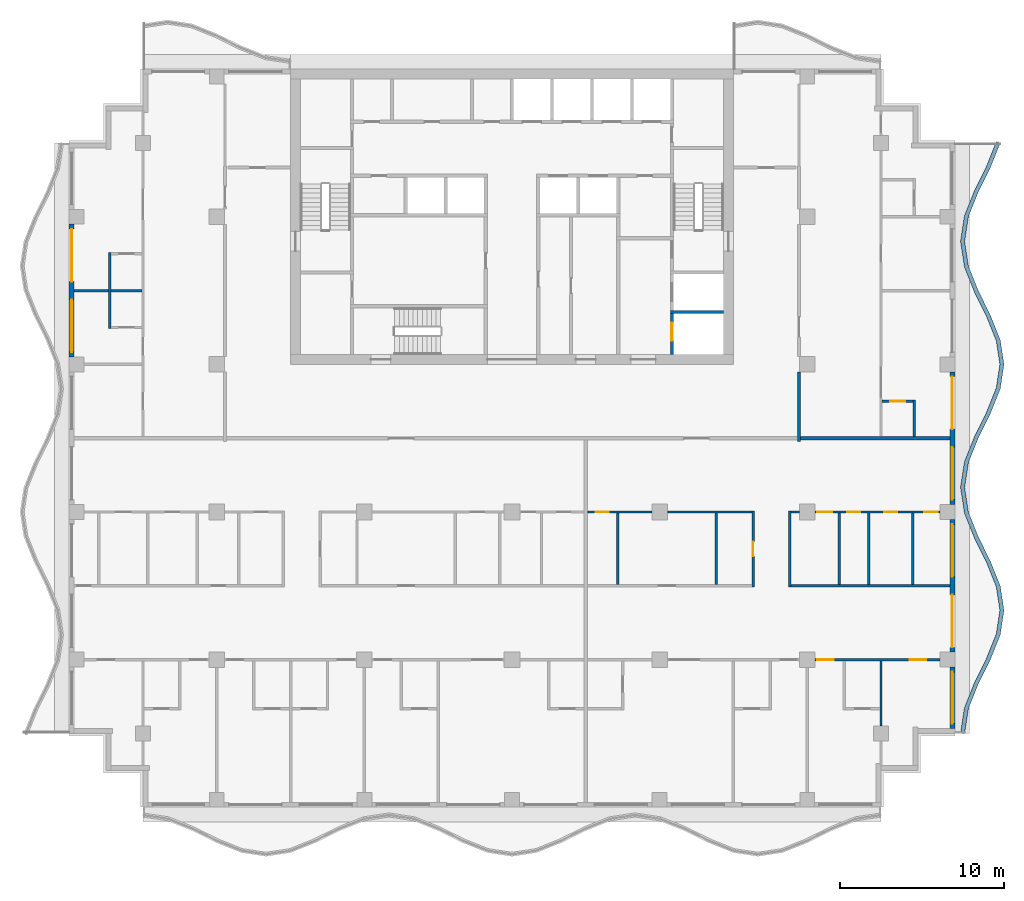
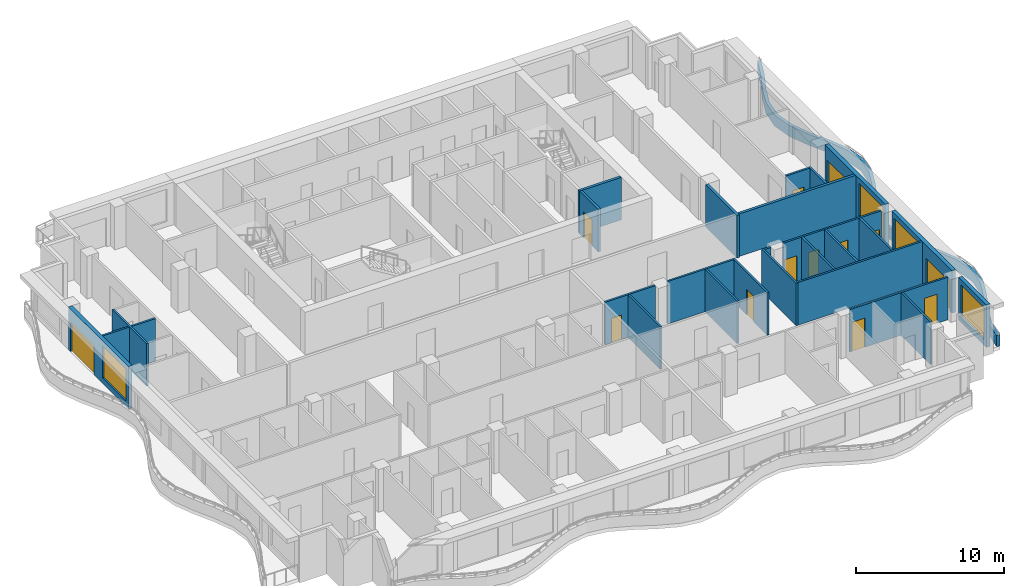
# One storey, part 4 of 12: 28 walls, 13 doors, 4 windows, 17 openings.
"""IFC4 building model written with IfcOpenShell, lengths in metres."""

from ifc_helpers import new_model, si_unit, direction, frame, frame_2d, origin, place, context, subcontext, project, spatial, polyline, rectangle, outline, extrude, material, layer, layer_set, type_object, element, fill, save


model = new_model("IFC4")

# Units and contexts
model_context = context("Model", 3, precision=1e-05, world=origin(), true_north=direction((0.0, 1.0)))
body_context = subcontext(model_context, "Body", "Model", "MODEL_VIEW")
ifc_project = project(units=[si_unit("LENGTHUNIT", "METRE"), si_unit("AREAUNIT", "SQUARE_METRE"), si_unit("VOLUMEUNIT", "CUBIC_METRE"), si_unit("PLANEANGLEUNIT", "RADIAN"), si_unit("MASSUNIT", "GRAM", prefix="KILO")], contexts=[model_context])

# Site, building, storey
site_placement = place(None, origin())
site = spatial("IfcSite", under=ifc_project, at=site_placement, CompositionType="ELEMENT")
building_placement = place(site_placement, origin())
building = spatial("IfcBuilding", under=site, at=building_placement, Name="Orbiselva Terraces", CompositionType="ELEMENT")
storey_placement = place(building_placement, frame((0.0, 0.0, 265.4)))
storey = spatial("IfcBuildingStorey", under=building, at=storey_placement, Name="L67", CompositionType="ELEMENT", Elevation=265.4)

# Wall, opening, door
ifc_material_1 = material(Name="Concrete C60/75", Category="concrete")
ifc_layer_1 = layer(ifc_material_1, 0.2)
ifc_layer_set_1 = layer_set([ifc_layer_1], Name="Concrete C60/75")
wall_type_1 = type_object("IfcWallType", Name="CORE-WALL-SHEAR-200", PredefinedType="SHEAR", material=ifc_layer_set_1)
wall_1_placement = place(storey_placement, frame((9.75, 5.1, 0.0), z_axis=(0.0, 0.0, 1.0), x_axis=(0.0, 1.0, 0.0)))
wall_1 = element("IfcWall", 1, at=wall_1_placement, inside=storey, type_object=wall_type_1, Name="L67 core wall 35", PredefinedType="SHEAR", context=body_context, shape_type="SweptSolid", body=[
    extrude(rectangle(XDim=2.5, YDim=0.2, at=frame_2d((1.25, 0.0))), origin(), (0.0, 0.0, 1.0), 3.5),
])
opening_1_placement = place(wall_1_placement, frame((0.85, 0.0, 0.0)))
opening_1 = element("IfcOpeningElement", 2, at=opening_1_placement, cuts=wall_1, Name="Opening LD-FF1", PredefinedType="OPENING", context=body_context, shape_type="SweptSolid", body=[
    extrude(rectangle(XDim=1.1, YDim=2.1, at=frame_2d((0.55, 1.05))), frame((0.0, 0.11, 0.0), z_axis=(0.0, -1.0, 0.0), x_axis=(1.0, 0.0, 0.0)), (0.0, 0.0, 1.0), 0.22),
])
ifc_material_2 = material(Name="Stainless steel landing door", Category="steel")
door_type_1 = type_object("IfcDoorType", Name="LANDING DOOR 1100", OperationType="SLIDING_TO_LEFT", PredefinedType="DOOR", material=ifc_material_2)
door_1_placement = place(opening_1_placement, origin())
door_1 = element("IfcDoor", 3, at=door_1_placement, inside=storey, type_object=door_type_1, Name="L67 landing door FF1", OperationType="SLIDING_TO_RIGHT", OverallHeight=2.1, OverallWidth=1.1, PredefinedType="DOOR", context=body_context, shape_type="SweptSolid", body=[
    extrude(rectangle(XDim=1.1, YDim=2.1, at=frame_2d((0.55, 1.05))), frame((0.0, 0.025, 0.0), z_axis=(0.0, -1.0, 0.0), x_axis=(1.0, 0.0, 0.0)), (0.0, 0.0, 1.0), 0.05),
])
fill(opening_1, door_1)

# Walls
wall_2_placement = place(storey_placement, frame((9.65, 7.7, 0.0), z_axis=(0.0, 0.0, 1.0), x_axis=(1.0, 0.0, 0.0)))
element("IfcWall", 4, at=wall_2_placement, inside=storey, type_object=wall_type_1, Name="L67 core wall 36", PredefinedType="SHEAR", context=body_context, shape_type="SweptSolid", body=[
    extrude(rectangle(XDim=3.25, YDim=0.2, at=frame_2d((1.625, 0.0))), origin(), (0.0, 0.0, 1.0), 3.5),
])
ifc_material_3 = material(Name="Concrete C40/50", Category="concrete")
ifc_layer_2 = layer(ifc_material_3, 0.25)
ifc_layer_set_2 = layer_set([ifc_layer_2], Name="Concrete C40/50")
wall_type_2 = type_object("IfcWallType", Name="ENV-PLANTER-250x900", PredefinedType="USERDEFINED", material=ifc_layer_set_2)
wall_3_placement = place(storey_placement, origin())
element("IfcWall", 5, at=wall_3_placement, inside=storey, type_object=wall_type_2, Name="Balcony planter L67 E", ObjectType="PLANTER", PredefinedType="USERDEFINED", context=body_context, shape_type="SweptSolid", body=[
    extrude(outline(polyline([(27.6, -18.0), (27.82918, -16.5), (28.42918, -15.0), (29.17082, -13.5), (29.77082, -12.0), (30.0, -10.5), (29.77082, -9.0), (29.17082, -7.5), (28.42918, -6.0), (27.82918, -4.5), (27.6, -3.0), (27.82918, -1.5), (28.42918, 0.0), (29.17082, 1.5), (29.77082, 3.0), (30.0, 4.5), (29.77082, 6.0), (29.17082, 7.5), (28.42918, 9.0), (27.82918, 10.5), (27.6, 12.0), (27.82918, 13.5), (28.42918, 15.0), (29.17082, 16.5), (29.77082, 18.0), (29.538701, 18.092848), (28.942355, 16.601983), (28.200715, 15.101983), (27.586388, 13.566166), (27.347099, 12.0), (27.586388, 10.433834), (28.200715, 8.898017), (28.942355, 7.398017), (29.528028, 5.933834), (29.747099, 4.5), (29.528028, 3.066166), (28.942355, 1.601983), (28.200715, 0.101983), (27.586388, -1.433834), (27.347099, -3.0), (27.586388, -4.566166), (28.200715, -6.101983), (28.942355, -7.601983), (29.528028, -9.066166), (29.747099, -10.5), (29.528028, -11.933834), (28.942355, -13.398017), (28.200715, -14.898017), (27.586388, -16.433834), (27.352868, -17.962242), (27.6, -18.0)])), origin(), (0.0, 0.0, 1.0), 0.9),
])

# Wall, opening, window
ifc_material_4 = material(Name="Terracotta cladding on masonry backing", Category="masonry")
ifc_layer_3 = layer(ifc_material_4, 0.3)
ifc_layer_set_3 = layer_set([ifc_layer_3], Name="Terracotta cladding on masonry backing")
wall_type_3 = type_object("IfcWallType", Name="ENV-WALL-TERRACOTTA-300", PredefinedType="SOLIDWALL", material=ifc_layer_set_3)
wall_4_placement = place(storey_placement, frame((26.85, -13.95, 0.0), z_axis=(0.0, 0.0, 1.0), x_axis=(0.0, -1.0, 0.0)))
wall_4 = element("IfcWall", 6, at=wall_4_placement, inside=storey, type_object=wall_type_3, Name="Facade wall L67 E", PredefinedType="SOLIDWALL", context=body_context, shape_type="SweptSolid", body=[
    extrude(rectangle(XDim=3.75, YDim=0.3, at=frame_2d((1.875, 0.0))), origin(), (0.0, 0.0, 1.0), 3.5),
])
opening_2_placement = place(wall_4_placement, frame((0.3, 0.0, 0.45)))
opening_2 = element("IfcOpeningElement", 7, at=opening_2_placement, cuts=wall_4, Name="Opening WN16", PredefinedType="OPENING", context=body_context, shape_type="SweptSolid", body=[
    extrude(rectangle(XDim=3.15, YDim=2.65, at=frame_2d((1.575, 1.325))), frame((0.0, 0.16, 0.0), z_axis=(0.0, -1.0, 0.0), x_axis=(1.0, 0.0, 0.0)), (0.0, 0.0, 1.0), 0.32),
])
ifc_material_5 = material(Name="Clear low-e glazing in aluminium frame", Category="aluminium")
window_type_1 = type_object("IfcWindowType", Name="WINDOW 3150 X 2650 S450", PartitioningType="TRIPLE_PANEL_VERTICAL", PredefinedType="WINDOW", material=ifc_material_5)
window_1_placement = place(opening_2_placement, origin())
window_1 = element("IfcWindow", 8, at=window_1_placement, inside=storey, type_object=window_type_1, Name="Window L67 E", OverallHeight=2.65, OverallWidth=3.15, PartitioningType="SINGLE_PANEL", PredefinedType="WINDOW", context=body_context, shape_type="SweptSolid", body=[
    extrude(rectangle(XDim=3.15, YDim=2.65, at=frame_2d((1.575, 1.325))), frame((0.0, 0.03, 0.0), z_axis=(0.0, -1.0, 0.0), x_axis=(1.0, 0.0, 0.0)), (0.0, 0.0, 1.0), 0.06),
])
fill(opening_2, window_1)

# Wall, openings, door, window
wall_5_placement = place(storey_placement, frame((26.85, -4.95, 0.0), z_axis=(0.0, 0.0, 1.0), x_axis=(0.0, -1.0, 0.0)))
wall_5 = element("IfcWall", 9, at=wall_5_placement, inside=storey, type_object=wall_type_3, Name="Facade wall L67 E", PredefinedType="SOLIDWALL", context=body_context, shape_type="SweptSolid", body=[
    extrude(rectangle(XDim=8.1, YDim=0.3, at=frame_2d((4.05, 0.0))), origin(), (0.0, 0.0, 1.0), 3.5),
])
opening_3_placement = place(wall_5_placement, frame((4.6, 0.0, 0.0)))
opening_3 = element("IfcOpeningElement", 10, at=opening_3_placement, cuts=wall_5, Name="Opening Z5-C-E05", PredefinedType="OPENING", context=body_context, shape_type="SweptSolid", body=[
    extrude(rectangle(XDim=3.2, YDim=2.4, at=frame_2d((1.6, 1.2))), frame((0.0, 0.16, 0.0), z_axis=(0.0, -1.0, 0.0), x_axis=(1.0, 0.0, 0.0)), (0.0, 0.0, 1.0), 0.32),
])
opening_4_placement = place(wall_5_placement, frame((0.3, 0.0, 0.45)))
opening_4 = element("IfcOpeningElement", 11, at=opening_4_placement, cuts=wall_5, Name="Opening WN17", PredefinedType="OPENING", context=body_context, shape_type="SweptSolid", body=[
    extrude(rectangle(XDim=3.2, YDim=2.65, at=frame_2d((1.6, 1.325))), frame((0.0, 0.16, 0.0), z_axis=(0.0, -1.0, 0.0), x_axis=(1.0, 0.0, 0.0)), (0.0, 0.0, 1.0), 0.32),
])
door_type_2 = type_object("IfcDoorType", Name="BALCONY DOOR 3200 X 2400", OperationType="DOUBLE_DOOR_SLIDING", PredefinedType="DOOR", material=ifc_material_5)
door_2_placement = place(opening_3_placement, origin())
door_2 = element("IfcDoor", 12, at=door_2_placement, inside=storey, type_object=door_type_2, Name="Z5-C-E05", OperationType="SINGLE_SWING_LEFT", OverallHeight=2.4, OverallWidth=3.2, PredefinedType="DOOR", context=body_context, shape_type="SweptSolid", body=[
    extrude(rectangle(XDim=3.2, YDim=2.4, at=frame_2d((1.6, 1.2))), frame((0.0, 0.025, 0.0), z_axis=(0.0, -1.0, 0.0), x_axis=(1.0, 0.0, 0.0)), (0.0, 0.0, 1.0), 0.05),
])
fill(opening_3, door_2)
window_type_2 = type_object("IfcWindowType", Name="WINDOW 3200 X 2650 S450", PartitioningType="TRIPLE_PANEL_VERTICAL", PredefinedType="WINDOW", material=ifc_material_5)
window_2_placement = place(opening_4_placement, origin())
window_2 = element("IfcWindow", 13, at=window_2_placement, inside=storey, type_object=window_type_2, Name="Window L67 E", OverallHeight=2.65, OverallWidth=3.2, PartitioningType="SINGLE_PANEL", PredefinedType="WINDOW", context=body_context, shape_type="SweptSolid", body=[
    extrude(rectangle(XDim=3.2, YDim=2.65, at=frame_2d((1.6, 1.325))), frame((0.0, 0.03, 0.0), z_axis=(0.0, -1.0, 0.0), x_axis=(1.0, 0.0, 0.0)), (0.0, 0.0, 1.0), 0.06),
])
fill(opening_4, window_2)

wall_6_placement = place(storey_placement, frame((26.85, 4.05, 0.0), z_axis=(0.0, 0.0, 1.0), x_axis=(0.0, -1.0, 0.0)))
wall_6 = element("IfcWall", 14, at=wall_6_placement, inside=storey, type_object=wall_type_3, Name="Facade wall L67 E", PredefinedType="SOLIDWALL", context=body_context, shape_type="SweptSolid", body=[
    extrude(rectangle(XDim=8.1, YDim=0.3, at=frame_2d((4.05, 0.0))), origin(), (0.0, 0.0, 1.0), 3.5),
])
opening_5_placement = place(wall_6_placement, frame((4.6, 0.0, 0.45)))
opening_5 = element("IfcOpeningElement", 15, at=opening_5_placement, cuts=wall_6, Name="Opening WN17", PredefinedType="OPENING", context=body_context, shape_type="SweptSolid", body=[
    extrude(rectangle(XDim=3.2, YDim=2.65, at=frame_2d((1.6, 1.325))), frame((0.0, 0.16, 0.0), z_axis=(0.0, -1.0, 0.0), x_axis=(1.0, 0.0, 0.0)), (0.0, 0.0, 1.0), 0.32),
])
opening_6_placement = place(wall_6_placement, frame((0.3, 0.0, 0.0)))
opening_6 = element("IfcOpeningElement", 16, at=opening_6_placement, cuts=wall_6, Name="Opening Z5-C-E14", PredefinedType="OPENING", context=body_context, shape_type="SweptSolid", body=[
    extrude(rectangle(XDim=3.2, YDim=2.4, at=frame_2d((1.6, 1.2))), frame((0.0, 0.16, 0.0), z_axis=(0.0, -1.0, 0.0), x_axis=(1.0, 0.0, 0.0)), (0.0, 0.0, 1.0), 0.32),
])
door_3_placement = place(opening_6_placement, origin())
door_3 = element("IfcDoor", 17, at=door_3_placement, inside=storey, type_object=door_type_2, Name="Z5-C-E14", OperationType="SINGLE_SWING_LEFT", OverallHeight=2.4, OverallWidth=3.2, PredefinedType="DOOR", context=body_context, shape_type="SweptSolid", body=[
    extrude(rectangle(XDim=3.2, YDim=2.4, at=frame_2d((1.6, 1.2))), frame((0.0, 0.025, 0.0), z_axis=(0.0, -1.0, 0.0), x_axis=(1.0, 0.0, 0.0)), (0.0, 0.0, 1.0), 0.05),
])
fill(opening_6, door_3)
window_3_placement = place(opening_5_placement, origin())
window_3 = element("IfcWindow", 18, at=window_3_placement, inside=storey, type_object=window_type_2, Name="Window L67 E", OverallHeight=2.65, OverallWidth=3.2, PartitioningType="SINGLE_PANEL", PredefinedType="WINDOW", context=body_context, shape_type="SweptSolid", body=[
    extrude(rectangle(XDim=3.2, YDim=2.65, at=frame_2d((1.6, 1.325))), frame((0.0, 0.03, 0.0), z_axis=(0.0, -1.0, 0.0), x_axis=(1.0, 0.0, 0.0)), (0.0, 0.0, 1.0), 0.06),
])
fill(opening_5, window_3)

wall_7_placement = place(storey_placement, frame((-26.85, 4.95, 0.0), z_axis=(0.0, 0.0, 1.0), x_axis=(0.0, 1.0, 0.0)))
wall_7 = element("IfcWall", 19, at=wall_7_placement, inside=storey, type_object=wall_type_3, Name="Facade wall L67 W", PredefinedType="SOLIDWALL", context=body_context, shape_type="SweptSolid", body=[
    extrude(rectangle(XDim=8.1, YDim=0.3, at=frame_2d((4.05, 0.0))), origin(), (0.0, 0.0, 1.0), 3.5),
])
opening_7_placement = place(wall_7_placement, frame((4.6, 0.0, 0.0)))
opening_7 = element("IfcOpeningElement", 20, at=opening_7_placement, cuts=wall_7, Name="Opening Z5-C-E10", PredefinedType="OPENING", context=body_context, shape_type="SweptSolid", body=[
    extrude(rectangle(XDim=3.2, YDim=2.4, at=frame_2d((1.6, 1.2))), frame((0.0, 0.16, 0.0), z_axis=(0.0, -1.0, 0.0), x_axis=(1.0, 0.0, 0.0)), (0.0, 0.0, 1.0), 0.32),
])
opening_8_placement = place(wall_7_placement, frame((0.3, 0.0, 0.45)))
opening_8 = element("IfcOpeningElement", 21, at=opening_8_placement, cuts=wall_7, Name="Opening WN17", PredefinedType="OPENING", context=body_context, shape_type="SweptSolid", body=[
    extrude(rectangle(XDim=3.2, YDim=2.65, at=frame_2d((1.6, 1.325))), frame((0.0, 0.16, 0.0), z_axis=(0.0, -1.0, 0.0), x_axis=(1.0, 0.0, 0.0)), (0.0, 0.0, 1.0), 0.32),
])
door_4_placement = place(opening_7_placement, origin())
door_4 = element("IfcDoor", 22, at=door_4_placement, inside=storey, type_object=door_type_2, Name="Z5-C-E10", OperationType="SINGLE_SWING_LEFT", OverallHeight=2.4, OverallWidth=3.2, PredefinedType="DOOR", context=body_context, shape_type="SweptSolid", body=[
    extrude(rectangle(XDim=3.2, YDim=2.4, at=frame_2d((1.6, 1.2))), frame((0.0, 0.025, 0.0), z_axis=(0.0, -1.0, 0.0), x_axis=(1.0, 0.0, 0.0)), (0.0, 0.0, 1.0), 0.05),
])
fill(opening_7, door_4)
window_4_placement = place(opening_8_placement, origin())
window_4 = element("IfcWindow", 23, at=window_4_placement, inside=storey, type_object=window_type_2, Name="Window L67 W", OverallHeight=2.65, OverallWidth=3.2, PartitioningType="SINGLE_PANEL", PredefinedType="WINDOW", context=body_context, shape_type="SweptSolid", body=[
    extrude(rectangle(XDim=3.2, YDim=2.65, at=frame_2d((1.6, 1.325))), frame((0.0, 0.03, 0.0), z_axis=(0.0, -1.0, 0.0), x_axis=(1.0, 0.0, 0.0)), (0.0, 0.0, 1.0), 0.06),
])
fill(opening_8, window_4)

# Wall
ifc_material_6 = material(Name="Plasterboard on steel stud partition", Category="steel")
ifc_layer_4 = layer(ifc_material_6, 0.2)
ifc_layer_set_4 = layer_set([ifc_layer_4], Name="Plasterboard on steel stud partition")
wall_type_4 = type_object("IfcWallType", Name="UNIT-ENTRANCE-WALL-200", PredefinedType="PARTITIONING", material=ifc_layer_set_4)
wall_8_placement = place(storey_placement, frame((17.5, -0.2, 0.0), z_axis=(0.0, 0.0, 1.0), x_axis=(0.0, 1.0, 0.0)))
element("IfcWall", 24, at=wall_8_placement, inside=storey, type_object=wall_type_4, Name="PARTITION L67-079", PredefinedType="PARTITIONING", context=body_context, shape_type="SweptSolid", body=[
    extrude(rectangle(XDim=4.225, YDim=0.2, at=frame_2d((2.1125, 0.0))), origin(), (0.0, 0.0, 1.0), 3.5),
])

# Wall, openings, doors
ifc_layer_5 = layer(ifc_material_6, 0.15)
ifc_layer_set_5 = layer_set([ifc_layer_5], Name="Plasterboard on steel stud partition")
wall_type_5 = type_object("IfcWallType", Name="UNIT-PARTITION-150", PredefinedType="PARTITIONING", material=ifc_layer_set_5)
wall_9_placement = place(storey_placement, frame((26.1, -13.5, 0.0), z_axis=(0.0, 0.0, 1.0), x_axis=(-1.0, 0.0, 0.0)))
wall_9 = element("IfcWall", 25, at=wall_9_placement, inside=storey, type_object=wall_type_5, Name="PARTITION L67-015", PredefinedType="PARTITIONING", context=body_context, shape_type="SweptSolid", body=[
    extrude(rectangle(XDim=7.625, YDim=0.15, at=frame_2d((3.8125, 0.0))), origin(), (0.0, 0.0, 1.0), 3.5),
])
opening_9_placement = place(wall_9_placement, frame((6.475, 0.0, 0.0)))
opening_9 = element("IfcOpeningElement", 26, at=opening_9_placement, cuts=wall_9, Name="Opening Z5-C-49", PredefinedType="OPENING", context=body_context, shape_type="SweptSolid", body=[
    extrude(rectangle(XDim=1.0, YDim=2.4, at=frame_2d((0.5, 1.2))), frame((0.0, 0.085, 0.0), z_axis=(0.0, -1.0, 0.0), x_axis=(1.0, 0.0, 0.0)), (0.0, 0.0, 1.0), 0.17),
])
opening_10_placement = place(wall_9_placement, frame((0.85, 0.0, 0.0)))
opening_10 = element("IfcOpeningElement", 27, at=opening_10_placement, cuts=wall_9, Name="Opening Z5-C-51", PredefinedType="OPENING", context=body_context, shape_type="SweptSolid", body=[
    extrude(rectangle(XDim=1.0, YDim=2.4, at=frame_2d((0.5, 1.2))), frame((0.0, 0.085, 0.0), z_axis=(0.0, -1.0, 0.0), x_axis=(1.0, 0.0, 0.0)), (0.0, 0.0, 1.0), 0.17),
])
ifc_material_7 = material(Name="Painted timber door leaf", Category="wood")
door_type_3 = type_object("IfcDoorType", Name="ROOM DOOR 1000", OperationType="NOTDEFINED", PredefinedType="DOOR", material=ifc_material_7)
door_5_placement = place(opening_9_placement, origin())
door_5 = element("IfcDoor", 28, at=door_5_placement, inside=storey, type_object=door_type_3, Name="Z5-C-49", OperationType="SINGLE_SWING_RIGHT", OverallHeight=2.4, OverallWidth=1.0, PredefinedType="DOOR", context=body_context, shape_type="SweptSolid", body=[
    extrude(rectangle(XDim=1.0, YDim=2.4, at=frame_2d((0.5, 1.2))), frame((0.0, 0.025, 0.0), z_axis=(0.0, -1.0, 0.0), x_axis=(1.0, 0.0, 0.0)), (0.0, 0.0, 1.0), 0.05),
])
fill(opening_9, door_5)
door_6_placement = place(opening_10_placement, origin())
door_6 = element("IfcDoor", 29, at=door_6_placement, inside=storey, type_object=door_type_3, Name="Z5-C-51", OperationType="SINGLE_SWING_LEFT", OverallHeight=2.4, OverallWidth=1.0, PredefinedType="DOOR", context=body_context, shape_type="SweptSolid", body=[
    extrude(rectangle(XDim=1.0, YDim=2.4, at=frame_2d((0.5, 1.2))), frame((0.0, 0.025, 0.0), z_axis=(0.0, -1.0, 0.0), x_axis=(1.0, 0.0, 0.0)), (0.0, 0.0, 1.0), 0.05),
])
fill(opening_10, door_6)

# Wall
wall_10_placement = place(storey_placement, frame((17.025, -9.0, 0.0), z_axis=(0.0, 0.0, 1.0), x_axis=(1.0, 0.0, 0.0)))
element("IfcWall", 30, at=wall_10_placement, inside=storey, type_object=wall_type_5, Name="PARTITION L67-019", PredefinedType="PARTITIONING", context=body_context, shape_type="SweptSolid", body=[
    extrude(rectangle(XDim=9.675, YDim=0.15, at=frame_2d((4.8375, 0.0))), origin(), (0.0, 0.0, 1.0), 3.5),
])

# Wall, opening, door
wall_11_placement = place(storey_placement, frame((8.525, -4.5, 0.0), z_axis=(0.0, 0.0, 1.0), x_axis=(-1.0, 0.0, 0.0)))
wall_11 = element("IfcWall", 31, at=wall_11_placement, inside=storey, type_object=wall_type_5, Name="PARTITION L67-025", PredefinedType="PARTITIONING", context=body_context, shape_type="SweptSolid", body=[
    extrude(rectangle(XDim=3.925, YDim=0.15, at=frame_2d((1.9625, 0.0))), origin(), (0.0, 0.0, 1.0), 3.5),
])
opening_11_placement = place(wall_11_placement, frame((2.625, 0.0, 0.0)))
opening_11 = element("IfcOpeningElement", 32, at=opening_11_placement, cuts=wall_11, Name="Opening Z5-C-38", PredefinedType="OPENING", context=body_context, shape_type="SweptSolid", body=[
    extrude(rectangle(XDim=0.8, YDim=2.0, at=frame_2d((0.4, 1.0))), frame((0.0, 0.085, 0.0), z_axis=(0.0, -1.0, 0.0), x_axis=(1.0, 0.0, 0.0)), (0.0, 0.0, 1.0), 0.17),
])
door_type_4 = type_object("IfcDoorType", Name="STORE DOOR 800", OperationType="NOTDEFINED", PredefinedType="DOOR", material=ifc_material_7)
door_7_placement = place(opening_11_placement, origin())
door_7 = element("IfcDoor", 33, at=door_7_placement, inside=storey, type_object=door_type_4, Name="Z5-C-38", OperationType="SINGLE_SWING_RIGHT", OverallHeight=2.0, OverallWidth=0.8, PredefinedType="DOOR", context=body_context, shape_type="SweptSolid", body=[
    extrude(rectangle(XDim=0.8, YDim=2.0, at=frame_2d((0.4, 1.0))), frame((0.0, 0.025, 0.0), z_axis=(0.0, -1.0, 0.0), x_axis=(1.0, 0.0, 0.0)), (0.0, 0.0, 1.0), 0.05),
])
fill(opening_11, door_7)

# Walls
wall_12_placement = place(storey_placement, frame((9.475, -4.5, 0.0), z_axis=(0.0, 0.0, 1.0), x_axis=(1.0, 0.0, 0.0)))
element("IfcWall", 34, at=wall_12_placement, inside=storey, type_object=wall_type_5, Name="PARTITION L67-026", PredefinedType="PARTITIONING", context=body_context, shape_type="SweptSolid", body=[
    extrude(rectangle(XDim=5.15, YDim=0.15, at=frame_2d((2.575, 0.0))), origin(), (0.0, 0.0, 1.0), 3.5),
])
wall_13_placement = place(storey_placement, frame((17.025, -4.5, 0.0), z_axis=(0.0, 0.0, 1.0), x_axis=(1.0, 0.0, 0.0)))
element("IfcWall", 35, at=wall_13_placement, inside=storey, type_object=wall_type_5, Name="PARTITION L67-027", PredefinedType="PARTITIONING", context=body_context, shape_type="SweptSolid", body=[
    extrude(rectangle(XDim=0.5, YDim=0.15, at=frame_2d((0.25, 0.0))), origin(), (0.0, 0.0, 1.0), 3.5),
])

# Wall, openings, doors
wall_14_placement = place(storey_placement, frame((26.1, -4.5, 0.0), z_axis=(0.0, 0.0, 1.0), x_axis=(-1.0, 0.0, 0.0)))
wall_14 = element("IfcWall", 36, at=wall_14_placement, inside=storey, type_object=wall_type_5, Name="PARTITION L67-028", PredefinedType="PARTITIONING", context=body_context, shape_type="SweptSolid", body=[
    extrude(rectangle(XDim=7.625, YDim=0.15, at=frame_2d((3.8125, 0.0))), origin(), (0.0, 0.0, 1.0), 3.5),
])
opening_12_placement = place(wall_14_placement, frame((6.575, 0.0, 0.0)))
opening_12 = element("IfcOpeningElement", 37, at=opening_12_placement, cuts=wall_14, Name="Opening Z5-C-41", PredefinedType="OPENING", context=body_context, shape_type="SweptSolid", body=[
    extrude(rectangle(XDim=0.9, YDim=2.1, at=frame_2d((0.45, 1.05))), frame((0.0, 0.085, 0.0), z_axis=(0.0, -1.0, 0.0), x_axis=(1.0, 0.0, 0.0)), (0.0, 0.0, 1.0), 0.17),
])
opening_13_placement = place(wall_14_placement, frame((4.85, 0.0, 0.0)))
opening_13 = element("IfcOpeningElement", 38, at=opening_13_placement, cuts=wall_14, Name="Opening Z5-C-42", PredefinedType="OPENING", context=body_context, shape_type="SweptSolid", body=[
    extrude(rectangle(XDim=0.8, YDim=2.0, at=frame_2d((0.4, 1.0))), frame((0.0, 0.085, 0.0), z_axis=(0.0, -1.0, 0.0), x_axis=(1.0, 0.0, 0.0)), (0.0, 0.0, 1.0), 0.17),
])
opening_14_placement = place(wall_14_placement, frame((2.6, 0.0, 0.0)))
opening_14 = element("IfcOpeningElement", 39, at=opening_14_placement, cuts=wall_14, Name="Opening Z5-C-43", PredefinedType="OPENING", context=body_context, shape_type="SweptSolid", body=[
    extrude(rectangle(XDim=0.8, YDim=2.0, at=frame_2d((0.4, 1.0))), frame((0.0, 0.085, 0.0), z_axis=(0.0, -1.0, 0.0), x_axis=(1.0, 0.0, 0.0)), (0.0, 0.0, 1.0), 0.17),
])
opening_15_placement = place(wall_14_placement, frame((0.15, 0.0, 0.0)))
opening_15 = element("IfcOpeningElement", 40, at=opening_15_placement, cuts=wall_14, Name="Opening Z5-C-44", PredefinedType="OPENING", context=body_context, shape_type="SweptSolid", body=[
    extrude(rectangle(XDim=0.8, YDim=2.0, at=frame_2d((0.4, 1.0))), frame((0.0, 0.085, 0.0), z_axis=(0.0, -1.0, 0.0), x_axis=(1.0, 0.0, 0.0)), (0.0, 0.0, 1.0), 0.17),
])
door_type_5 = type_object("IfcDoorType", Name="SERVICE DOOR 900", OperationType="NOTDEFINED", PredefinedType="DOOR", material=ifc_material_7)
door_8_placement = place(opening_12_placement, origin())
door_8 = element("IfcDoor", 41, at=door_8_placement, inside=storey, type_object=door_type_5, Name="Z5-C-41", OperationType="SINGLE_SWING_RIGHT", OverallHeight=2.1, OverallWidth=0.9, PredefinedType="DOOR", context=body_context, shape_type="SweptSolid", body=[
    extrude(rectangle(XDim=0.9, YDim=2.1, at=frame_2d((0.45, 1.05))), frame((0.0, 0.025, 0.0), z_axis=(0.0, -1.0, 0.0), x_axis=(1.0, 0.0, 0.0)), (0.0, 0.0, 1.0), 0.05),
])
fill(opening_12, door_8)
door_9_placement = place(opening_13_placement, origin())
door_9 = element("IfcDoor", 42, at=door_9_placement, inside=storey, type_object=door_type_4, Name="Z5-C-42", OperationType="SINGLE_SWING_RIGHT", OverallHeight=2.0, OverallWidth=0.8, PredefinedType="DOOR", context=body_context, shape_type="SweptSolid", body=[
    extrude(rectangle(XDim=0.8, YDim=2.0, at=frame_2d((0.4, 1.0))), frame((0.0, 0.025, 0.0), z_axis=(0.0, -1.0, 0.0), x_axis=(1.0, 0.0, 0.0)), (0.0, 0.0, 1.0), 0.05),
])
fill(opening_13, door_9)
door_10_placement = place(opening_14_placement, origin())
door_10 = element("IfcDoor", 43, at=door_10_placement, inside=storey, type_object=door_type_4, Name="Z5-C-43", OperationType="SINGLE_SWING_LEFT", OverallHeight=2.0, OverallWidth=0.8, PredefinedType="DOOR", context=body_context, shape_type="SweptSolid", body=[
    extrude(rectangle(XDim=0.8, YDim=2.0, at=frame_2d((0.4, 1.0))), frame((0.0, 0.025, 0.0), z_axis=(0.0, -1.0, 0.0), x_axis=(1.0, 0.0, 0.0)), (0.0, 0.0, 1.0), 0.05),
])
fill(opening_14, door_10)
door_11_placement = place(opening_15_placement, origin())
door_11 = element("IfcDoor", 44, at=door_11_placement, inside=storey, type_object=door_type_4, Name="Z5-C-44", OperationType="SINGLE_SWING_LEFT", OverallHeight=2.0, OverallWidth=0.8, PredefinedType="DOOR", context=body_context, shape_type="SweptSolid", body=[
    extrude(rectangle(XDim=0.8, YDim=2.0, at=frame_2d((0.4, 1.0))), frame((0.0, 0.025, 0.0), z_axis=(0.0, -1.0, 0.0), x_axis=(1.0, 0.0, 0.0)), (0.0, 0.0, 1.0), 0.05),
])
fill(opening_15, door_11)

# Wall, opening, door
wall_15_placement = place(storey_placement, frame((24.45, 2.25, 0.0), z_axis=(0.0, 0.0, 1.0), x_axis=(-1.0, 0.0, 0.0)))
wall_15 = element("IfcWall", 45, at=wall_15_placement, inside=storey, type_object=wall_type_5, Name="PARTITION L67-032", PredefinedType="PARTITIONING", context=body_context, shape_type="SweptSolid", body=[
    extrude(rectangle(XDim=1.875, YDim=0.15, at=frame_2d((0.9375, 0.0))), origin(), (0.0, 0.0, 1.0), 3.5),
])
opening_16_placement = place(wall_15_placement, frame((0.475, 0.0, 0.0)))
opening_16 = element("IfcOpeningElement", 46, at=opening_16_placement, cuts=wall_15, Name="Opening Z5-C-11", PredefinedType="OPENING", context=body_context, shape_type="SweptSolid", body=[
    extrude(rectangle(XDim=0.9, YDim=2.1, at=frame_2d((0.45, 1.05))), frame((0.0, 0.085, 0.0), z_axis=(0.0, -1.0, 0.0), x_axis=(1.0, 0.0, 0.0)), (0.0, 0.0, 1.0), 0.17),
])
door_type_6 = type_object("IfcDoorType", Name="BATH DOOR 900", OperationType="NOTDEFINED", PredefinedType="DOOR", material=ifc_material_7)
door_12_placement = place(opening_16_placement, origin())
door_12 = element("IfcDoor", 47, at=door_12_placement, inside=storey, type_object=door_type_6, Name="Z5-C-11", OperationType="SINGLE_SWING_LEFT", OverallHeight=2.1, OverallWidth=0.9, PredefinedType="DOOR", context=body_context, shape_type="SweptSolid", body=[
    extrude(rectangle(XDim=0.9, YDim=2.1, at=frame_2d((0.45, 1.05))), frame((0.0, 0.025, 0.0), z_axis=(0.0, -1.0, 0.0), x_axis=(1.0, 0.0, 0.0)), (0.0, 0.0, 1.0), 0.05),
])
fill(opening_16, door_12)

# Walls
wall_16_placement = place(storey_placement, frame((-26.7, 9.0, 0.0), z_axis=(0.0, 0.0, 1.0), x_axis=(1.0, 0.0, 0.0)))
element("IfcWall", 48, at=wall_16_placement, inside=storey, type_object=wall_type_5, Name="PARTITION L67-035", PredefinedType="PARTITIONING", context=body_context, shape_type="SweptSolid", body=[
    extrude(rectangle(XDim=2.1, YDim=0.15, at=frame_2d((1.05, 0.0))), origin(), (0.0, 0.0, 1.0), 3.5),
])
wall_17_placement = place(storey_placement, frame((-24.45, 9.0, 0.0), z_axis=(0.0, 0.0, 1.0), x_axis=(1.0, 0.0, 0.0)))
element("IfcWall", 49, at=wall_17_placement, inside=storey, type_object=wall_type_5, Name="PARTITION L67-036", PredefinedType="PARTITIONING", context=body_context, shape_type="SweptSolid", body=[
    extrude(rectangle(XDim=1.875, YDim=0.15, at=frame_2d((0.9375, 0.0))), origin(), (0.0, 0.0, 1.0), 3.5),
])
wall_18_placement = place(storey_placement, frame((-24.525, 6.675, 0.0), z_axis=(0.0, 0.0, 1.0), x_axis=(0.0, 1.0, 0.0)))
element("IfcWall", 50, at=wall_18_placement, inside=storey, type_object=wall_type_5, Name="PARTITION L67-044", PredefinedType="PARTITIONING", context=body_context, shape_type="SweptSolid", body=[
    extrude(rectangle(XDim=4.65, YDim=0.15, at=frame_2d((2.325, 0.0))), origin(), (0.0, 0.0, 1.0), 3.5),
])
for number, where, z_axis, x_axis, name in (
    (51, (6.45, -8.925, 0.0), (0.0, 0.0, 1.0), (0.0, 1.0, 0.0), "PARTITION L67-072"),
    (52, (12.45, -8.925, 0.0), (0.0, 0.0, 1.0), (0.0, 1.0, 0.0), "PARTITION L67-074"),
):
    element("IfcWall", number, at=place(storey_placement, frame(where, z_axis=z_axis, x_axis=x_axis)), inside=storey, type_object=wall_type_5, Name=name, PredefinedType="PARTITIONING", context=body_context, shape_type="SweptSolid", body=[
        extrude(rectangle(XDim=4.35, YDim=0.15, at=frame_2d((2.175, 0.0))), origin(), (0.0, 0.0, 1.0), 3.5),
    ])

# Wall, opening, door
wall_19_placement = place(storey_placement, frame((14.7, -9.075, 0.0), z_axis=(0.0, 0.0, 1.0), x_axis=(0.0, 1.0, 0.0)))
wall_19 = element("IfcWall", 53, at=wall_19_placement, inside=storey, type_object=wall_type_5, Name="PARTITION L67-076", PredefinedType="PARTITIONING", context=body_context, shape_type="SweptSolid", body=[
    extrude(rectangle(XDim=4.65, YDim=0.15, at=frame_2d((2.325, 0.0))), origin(), (0.0, 0.0, 1.0), 3.5),
])
opening_17_placement = place(wall_19_placement, frame((1.875, 0.0, 0.0)))
opening_17 = element("IfcOpeningElement", 54, at=opening_17_placement, cuts=wall_19, Name="Opening Z5-C-40", PredefinedType="OPENING", context=body_context, shape_type="SweptSolid", body=[
    extrude(rectangle(XDim=0.9, YDim=2.1, at=frame_2d((0.45, 1.05))), frame((0.0, 0.085, 0.0), z_axis=(0.0, -1.0, 0.0), x_axis=(1.0, 0.0, 0.0)), (0.0, 0.0, 1.0), 0.17),
])
door_13_placement = place(opening_17_placement, origin())
door_13 = element("IfcDoor", 55, at=door_13_placement, inside=storey, type_object=door_type_6, Name="Z5-C-40", OperationType="SINGLE_SWING_LEFT", OverallHeight=2.1, OverallWidth=0.9, PredefinedType="DOOR", context=body_context, shape_type="SweptSolid", body=[
    extrude(rectangle(XDim=0.9, YDim=2.1, at=frame_2d((0.45, 1.05))), frame((0.0, 0.025, 0.0), z_axis=(0.0, -1.0, 0.0), x_axis=(1.0, 0.0, 0.0)), (0.0, 0.0, 1.0), 0.05),
])
fill(opening_17, door_13)

# Walls
wall_20_placement = place(storey_placement, frame((16.95, -9.075, 0.0), z_axis=(0.0, 0.0, 1.0), x_axis=(0.0, 1.0, 0.0)))
element("IfcWall", 56, at=wall_20_placement, inside=storey, type_object=wall_type_5, Name="PARTITION L67-078", PredefinedType="PARTITIONING", context=body_context, shape_type="SweptSolid", body=[
    extrude(rectangle(XDim=4.65, YDim=0.15, at=frame_2d((2.325, 0.0))), origin(), (0.0, 0.0, 1.0), 3.5),
])
for number, where, z_axis, x_axis, name in (
    (57, (19.95, -8.925, 0.0), (0.0, 0.0, 1.0), (0.0, 1.0, 0.0), "PARTITION L67-084"),
    (58, (21.75, -8.925, 0.0), (0.0, 0.0, 1.0), (0.0, 1.0, 0.0), "PARTITION L67-086"),
):
    element("IfcWall", number, at=place(storey_placement, frame(where, z_axis=z_axis, x_axis=x_axis)), inside=storey, type_object=wall_type_5, Name=name, PredefinedType="PARTITIONING", context=body_context, shape_type="SweptSolid", body=[
        extrude(rectangle(XDim=4.35, YDim=0.15, at=frame_2d((2.175, 0.0))), origin(), (0.0, 0.0, 1.0), 3.5),
    ])
wall_21_placement = place(storey_placement, frame((22.5, -17.55, 0.0), z_axis=(0.0, 0.0, 1.0), x_axis=(0.0, 1.0, 0.0)))
element("IfcWall", 59, at=wall_21_placement, inside=storey, type_object=wall_type_5, Name="PARTITION L67-088", PredefinedType="PARTITIONING", context=body_context, shape_type="SweptSolid", body=[
    extrude(rectangle(XDim=3.975, YDim=0.15, at=frame_2d((1.9875, 0.0))), origin(), (0.0, 0.0, 1.0), 3.5),
])
wall_22_placement = place(storey_placement, frame((24.45, -8.925, 0.0), z_axis=(0.0, 0.0, 1.0), x_axis=(0.0, 1.0, 0.0)))
element("IfcWall", 60, at=wall_22_placement, inside=storey, type_object=wall_type_5, Name="PARTITION L67-091", PredefinedType="PARTITIONING", context=body_context, shape_type="SweptSolid", body=[
    extrude(rectangle(XDim=4.35, YDim=0.15, at=frame_2d((2.175, 0.0))), origin(), (0.0, 0.0, 1.0), 3.5),
])
wall_23_placement = place(storey_placement, frame((24.525, 0.1, 0.0), z_axis=(0.0, 0.0, 1.0), x_axis=(0.0, 1.0, 0.0)))
element("IfcWall", 61, at=wall_23_placement, inside=storey, type_object=wall_type_5, Name="PARTITION L67-092", PredefinedType="PARTITIONING", context=body_context, shape_type="SweptSolid", body=[
    extrude(rectangle(XDim=2.225, YDim=0.15, at=frame_2d((1.1125, 0.0))), origin(), (0.0, 0.0, 1.0), 3.5),
])
ifc_layer_6 = layer(ifc_material_6, 0.2)
ifc_layer_set_6 = layer_set([ifc_layer_6], Name="Plasterboard on steel stud partition")
wall_type_6 = type_object("IfcWallType", Name="UNIT-PARTY-WALL-200", PredefinedType="PARTITIONING", material=ifc_layer_set_6)
wall_24_placement = place(storey_placement, frame((17.6, 0.0, 0.0), z_axis=(0.0, 0.0, 1.0), x_axis=(1.0, 0.0, 0.0)))
element("IfcWall", 62, at=wall_24_placement, inside=storey, type_object=wall_type_6, Name="PARTITION L67-031", PredefinedType="PARTITIONING", context=body_context, shape_type="SweptSolid", body=[
    extrude(rectangle(XDim=9.1, YDim=0.2, at=frame_2d((4.55, 0.0))), origin(), (0.0, 0.0, 1.0), 3.5),
])

save(model, "model.ifc")
